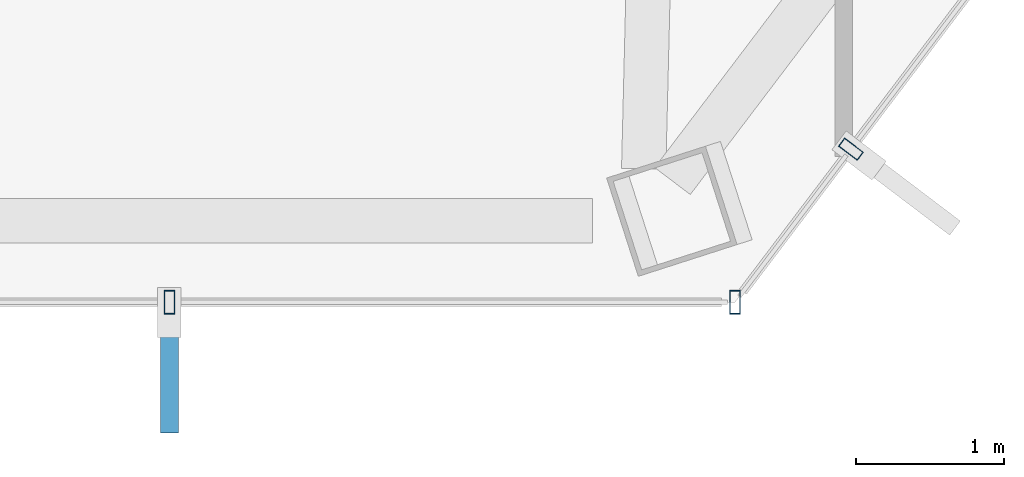
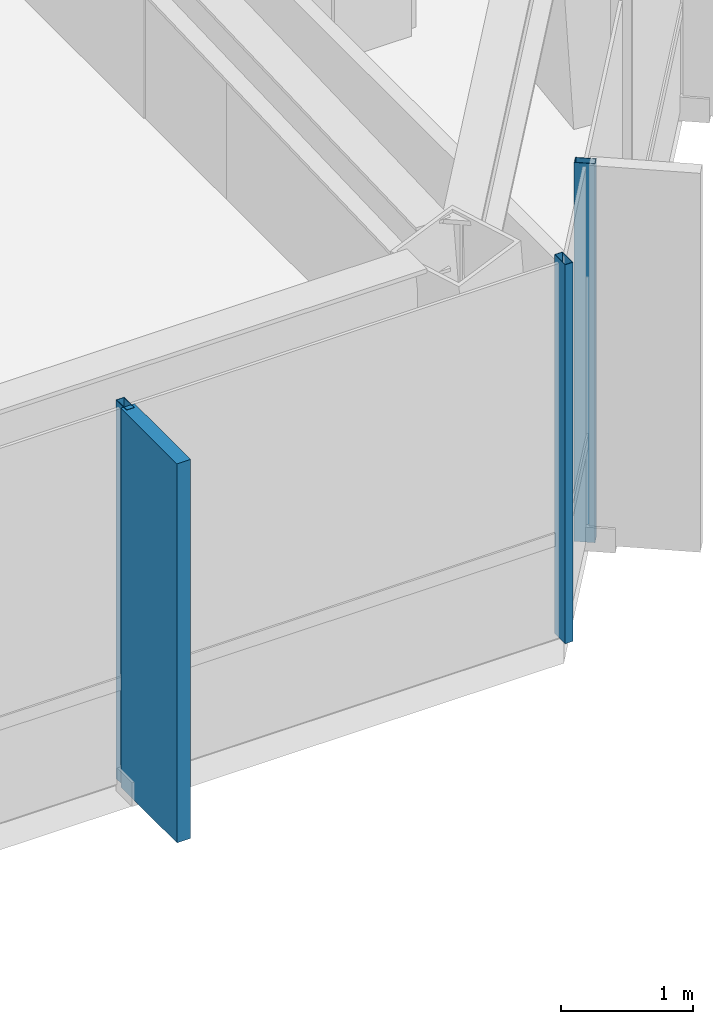
# One storey, part 8 of 27: 4 members, 2 elements without a shape of their own.
"""IFC4 building model written with IfcOpenShell, lengths in metres."""

from ifc_helpers import new_model, si_unit, direction, frame, origin, origin_2d, place, context, subcontext, project, spatial, rectangle, hollow_rectangle, extrude, material, layer, layer_set, material_profile, profile_set, type_object, element, aggregate, save


model = new_model("IFC4")

# Units and contexts
model_context = context("Model", 3, precision=1e-05, world=origin(), true_north=direction((0.0, 1.0)))
body_context = subcontext(model_context, "Body", "Model", "MODEL_VIEW")
ifc_project = project(units=[si_unit("LENGTHUNIT", "METRE"), si_unit("AREAUNIT", "SQUARE_METRE"), si_unit("VOLUMEUNIT", "CUBIC_METRE"), si_unit("PLANEANGLEUNIT", "RADIAN"), si_unit("MASSUNIT", "GRAM", prefix="KILO")], contexts=[model_context])

# Site, building, storey
site_placement = place(None, origin())
site = spatial("IfcSite", under=ifc_project, at=site_placement, CompositionType="ELEMENT")
building_placement = place(site_placement, origin())
building = spatial("IfcBuilding", under=site, at=building_placement, Name="Zarrinselat Tower", CompositionType="ELEMENT")
storey_placement = place(building_placement, frame((0.0, 0.0, 172.0400390625)))
storey = spatial("IfcBuildingStorey", under=building, at=storey_placement, Name="L42", CompositionType="ELEMENT", Elevation=172.0400390625)

# Curtain wall, members
ifc_material_1 = material(Name="Extruded Aluminium Alloy EN AW-6063 T6", Category="aluminium")
ifc_layer = layer(ifc_material_1, 0.175048828125)
ifc_layer_set = layer_set([ifc_layer], Name="Extruded Aluminium Alloy EN AW-6063 T6")
curtain_wall_type = type_object("IfcCurtainWallType", Name="CWS-HTL", PredefinedType="NOTDEFINED", material=ifc_layer_set)
curtain_wall_1_placement = place(storey_placement, origin())
curtain_wall_1 = element("IfcCurtainWall", 1, at=curtain_wall_1_placement, inside=storey, type_object=curtain_wall_type, Name="L42 Unitised Curtain Wall CW-L42-E04", PredefinedType="NOTDEFINED")
ifc_material_2 = material(Name="Extruded Aluminium Alloy EN AW-6063 T6", Category="aluminium")
ifc_material_profile_1 = material_profile(ifc_material_2, hollow_rectangle(XDim=0.070068359375, YDim=0.159912109375, WallThickness=0.00390625, at=origin_2d()), Name="RHS 160x70x4")
ifc_profile_set_1 = profile_set([ifc_material_profile_1], Name="Extruded Aluminium Alloy EN AW-6063 T6")
member_type_1 = type_object("IfcMemberType", Name="MEM-CW-MUL2", PredefinedType="MULLION", material=ifc_profile_set_1)
member_1_placement = place(storey_placement, frame((42.231201171875, 17.6533203125, 0.0), z_axis=(0.0, 0.0, 1.0), x_axis=(1.0, 0.0, 0.0)))
member_1 = element("IfcMember", 2, at=member_1_placement, type_object=member_type_1, Name="CW-L42-E04 Mullion 3", PredefinedType="MULLION", context=body_context, shape_type="SweptSolid", body=[
    extrude(hollow_rectangle(XDim=0.070068359375, YDim=0.159912109375, WallThickness=0.00390625, at=origin_2d()), origin(), (0.0, 0.0, 1.0), 3.5),
])
member_2_placement = place(storey_placement, frame((46.0625, 17.6533203125, 0.0), z_axis=(0.0, 0.0, 1.0), x_axis=(1.0, 0.0, 0.0)))
member_2 = element("IfcMember", 3, at=member_2_placement, type_object=member_type_1, Name="CW-L42-E04 Mullion 4", PredefinedType="MULLION", context=body_context, shape_type="SweptSolid", body=[
    extrude(hollow_rectangle(XDim=0.070068359375, YDim=0.159912109375, WallThickness=0.00390625, at=origin_2d()), origin(), (0.0, 0.0, 1.0), 3.5),
])

# Curtain wall, member
curtain_wall_2_placement = place(storey_placement, origin())
curtain_wall_2 = element("IfcCurtainWall", 4, at=curtain_wall_2_placement, inside=storey, type_object=curtain_wall_type, Name="L42 Unitised Curtain Wall CW-L42-E05", PredefinedType="NOTDEFINED")
member_3_placement = place(storey_placement, frame((46.847900390625, 18.690185546875, 0.0), z_axis=(0.0, 0.0, 1.0), x_axis=(0.603858853713, 0.797091265033, 0.0)))
member_3 = element("IfcMember", 5, at=member_3_placement, type_object=member_type_1, Name="CW-L42-E05 Mullion 1", PredefinedType="MULLION", context=body_context, shape_type="SweptSolid", body=[
    extrude(hollow_rectangle(XDim=0.070068359375, YDim=0.159912109375, WallThickness=0.00390625, at=origin_2d()), origin(), (0.0, 0.0, 1.0), 3.5),
])
aggregate(curtain_wall_2, [member_3])

# Member
ifc_material_3 = material(Name="Honed Cream Travertine Stone", Category="masonry")
ifc_material_profile_2 = material_profile(ifc_material_3, rectangle(XDim=0.1201171875, YDim=0.85009765625, at=origin_2d()), Name="FIN 850x120")
ifc_profile_set_2 = profile_set([ifc_material_profile_2], Name="Honed Cream Travertine Stone")
member_type_2 = type_object("IfcMemberType", Name="MEM-STONE-FIN", PredefinedType="USERDEFINED", material=ifc_profile_set_2)
member_4_placement = place(storey_placement, frame((42.231201171875, 17.193359375, 0.0), z_axis=(0.0, 0.0, 1.0), x_axis=(-1.0, 0.0, 0.0)))
member_4 = element("IfcMember", 6, at=member_4_placement, type_object=member_type_2, Name="L42 Stone Shading Fin CW-L42-E04-03", ObjectType="FIN", PredefinedType="USERDEFINED", context=body_context, shape_type="SweptSolid", body=[
    extrude(rectangle(XDim=0.1201171875, YDim=0.85009765625, at=origin_2d()), origin(), (0.0, 0.0, 1.0), 3.5),
])

aggregate(curtain_wall_1, [member_1, member_4, member_2])

save(model, "model.ifc")
